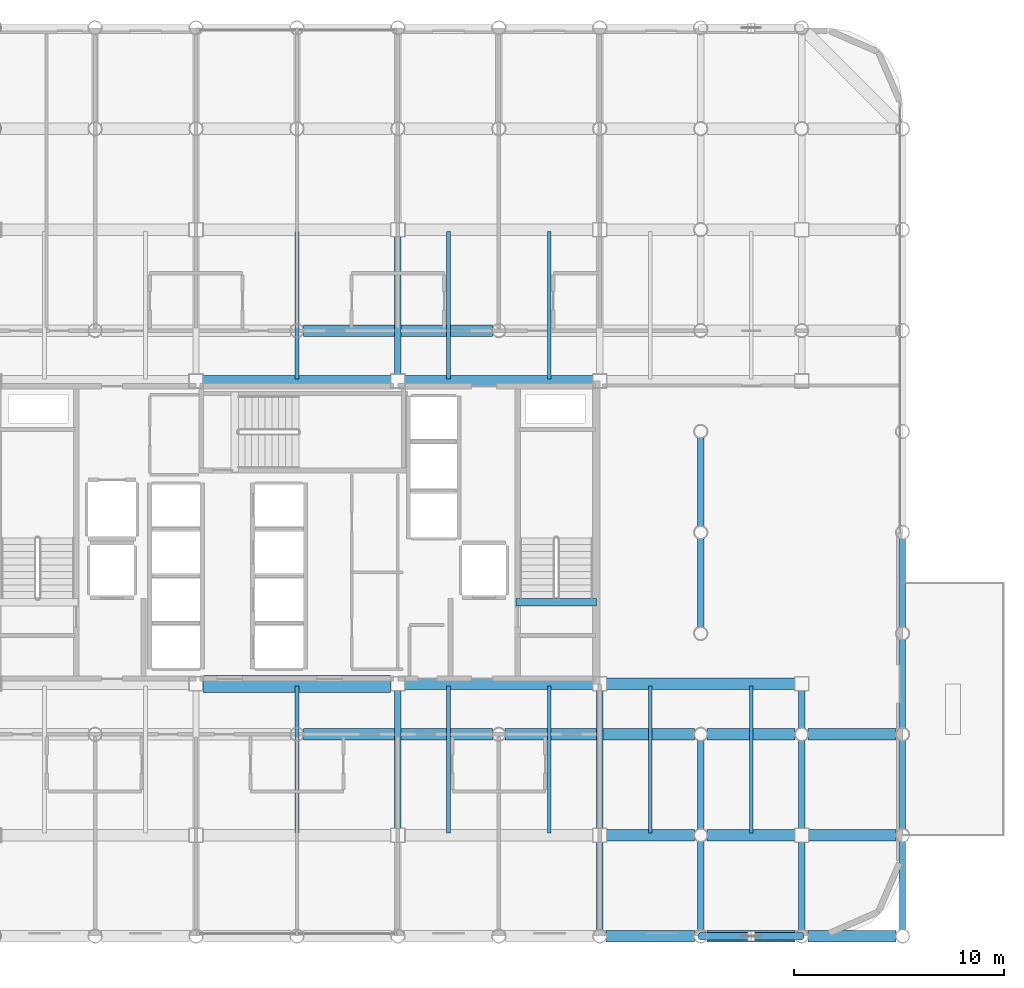
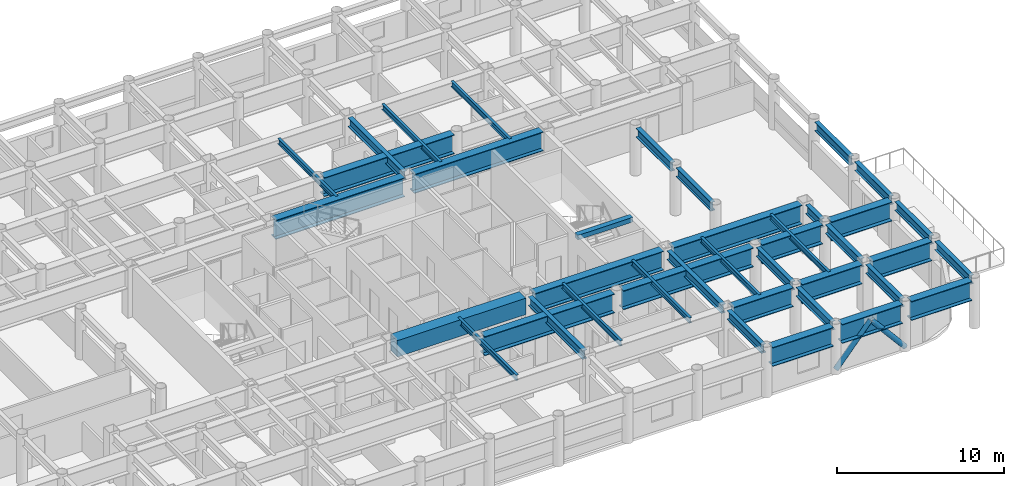
# One storey, part 7 of 23: 40 beams, 2 members.
"""IFC4 building model written with IfcOpenShell, lengths in metres."""

from ifc_helpers import new_model, si_unit, direction, frame, origin, origin_2d, place, context, subcontext, project, spatial, rectangle, hollow_circle, i_section, extrude, material, material_profile, profile_set, type_object, element, save


model = new_model("IFC4")

# Units and contexts
model_context = context("Model", 3, precision=1e-05, world=origin(), true_north=direction((0.0, 1.0)))
body_context = subcontext(model_context, "Body", "Model", "MODEL_VIEW")
ifc_project = project(units=[si_unit("LENGTHUNIT", "METRE"), si_unit("AREAUNIT", "SQUARE_METRE"), si_unit("VOLUMEUNIT", "CUBIC_METRE"), si_unit("PLANEANGLEUNIT", "RADIAN"), si_unit("MASSUNIT", "GRAM", prefix="KILO")], contexts=[model_context])

# Site, building, storey
site_placement = place(None, origin())
site = spatial("IfcSite", under=ifc_project, at=site_placement, CompositionType="ELEMENT")
building_placement = place(site_placement, origin())
building = spatial("IfcBuilding", under=site, at=building_placement, Name="Kallvorn Hotel Tower", CompositionType="ELEMENT")
storey_placement = place(building_placement, frame((0.0, 0.0, 124.800048828125)))
storey = spatial("IfcBuildingStorey", under=building, at=storey_placement, Name="L30", CompositionType="ELEMENT", Elevation=124.800048828125)

# Beams
ifc_material_1 = material(Name="Structural steel S355JR", Category="steel")
ifc_material_profile_1 = material_profile(ifc_material_1, i_section(OverallWidth=0.300048828125, OverallDepth=0.64990234375, WebThickness=0.01611328125, FlangeThickness=0.031005859375, at=origin_2d()), Name="HE 650 B")
ifc_profile_set_1 = profile_set([ifc_material_profile_1], Name="Structural steel S355JR")
beam_type_1 = type_object("IfcBeamType", Name="BM_HE650B", PredefinedType="BEAM", material=ifc_profile_set_1)
for number, where, z_axis, x_axis, name in (
    (1, (4.800048828125, -14.074951171875, 3.195068359375), (0.0, 1.0, 0.0), (-1.0, 0.0, 0.0), "L31 Primary Y-Girder 115"),
    (2, (4.800048828125, 7.52490234375, 3.195068359375), (0.0, 1.0, 0.0), (-1.0, 0.0, 0.0), "L31 Primary Y-Girder 116"),
):
    element("IfcBeam", number, at=place(storey_placement, frame(where, z_axis=z_axis, x_axis=x_axis)), inside=storey, type_object=beam_type_1, Name=name, PredefinedType="BEAM", context=body_context, shape_type="SweptSolid", body=[
        extrude(i_section(OverallWidth=0.300048828125, OverallDepth=0.64990234375, WebThickness=0.01611328125, FlangeThickness=0.031005859375, at=origin_2d()), origin(), (0.0, 0.0, 1.0), 6.550048828125),
    ])
beam_1_placement = place(storey_placement, frame((14.39990234375, -18.89501953125, 3.195068359375), z_axis=(0.0, 1.0, 0.0), x_axis=(-1.0, 0.0, 0.0)))
element("IfcBeam", 3, at=beam_1_placement, inside=storey, type_object=beam_type_1, Name="L31 Primary Y-Girder 122", PredefinedType="BEAM", context=body_context, shape_type="SweptSolid", body=[
    extrude(i_section(OverallWidth=0.300048828125, OverallDepth=0.64990234375, WebThickness=0.01611328125, FlangeThickness=0.031005859375, at=origin_2d()), origin(), (0.0, 0.0, 1.0), 4.169921875),
])
beam_2_placement = place(storey_placement, frame((14.39990234375, -14.074951171875, 3.195068359375), z_axis=(0.0, 1.0, 0.0), x_axis=(-1.0, 0.0, 0.0)))
element("IfcBeam", 4, at=beam_2_placement, inside=storey, type_object=beam_type_1, Name="L31 Primary Y-Girder 123", PredefinedType="BEAM", context=body_context, shape_type="SweptSolid", body=[
    extrude(i_section(OverallWidth=0.300048828125, OverallDepth=0.64990234375, WebThickness=0.01611328125, FlangeThickness=0.031005859375, at=origin_2d()), origin(), (0.0, 0.0, 1.0), 6.550048828125),
])
for number, where, z_axis, x_axis, name in (
    (5, (19.199951171875, -18.89501953125, 3.195068359375), (0.0, 1.0, 0.0), (-1.0, 0.0, 0.0), "L31 Primary Y-Girder 127"),
    (6, (19.199951171875, -14.094970703125, 3.195068359375), (0.0, 1.0, 0.0), (-1.0, 0.0, 0.0), "L31 Primary Y-Girder 128"),
):
    element("IfcBeam", number, at=place(storey_placement, frame(where, z_axis=z_axis, x_axis=x_axis)), inside=storey, type_object=beam_type_1, Name=name, PredefinedType="BEAM", context=body_context, shape_type="SweptSolid", body=[
        extrude(i_section(OverallWidth=0.300048828125, OverallDepth=0.64990234375, WebThickness=0.01611328125, FlangeThickness=0.031005859375, at=origin_2d()), origin(), (0.0, 0.0, 1.0), 4.18994140625),
    ])
for number, where, z_axis, x_axis, name in (
    (7, (19.199951171875, -4.4951171875, 3.195068359375), (0.0, 1.0, 0.0), (-1.0, 0.0, 0.0), "L31 Primary Y-Girder 130"),
    (8, (19.199951171875, 0.304931640625, 3.195068359375), (0.0, 1.0, 0.0), (-1.0, 0.0, 0.0), "L31 Primary Y-Girder 131"),
):
    element("IfcBeam", number, at=place(storey_placement, frame(where, z_axis=z_axis, x_axis=x_axis)), inside=storey, type_object=beam_type_1, Name=name, PredefinedType="BEAM", context=body_context, shape_type="SweptSolid", body=[
        extrude(i_section(OverallWidth=0.300048828125, OverallDepth=0.64990234375, WebThickness=0.01611328125, FlangeThickness=0.031005859375, at=origin_2d()), origin(), (0.0, 0.0, 1.0), 4.190185546875),
    ])
for number, where, z_axis, x_axis, name in (
    (9, (24.0, -18.89501953125, 3.195068359375), (0.0, 1.0, 0.0), (-1.0, 0.0, 0.0), "L31 Primary Y-Girder 136"),
    (10, (24.0, -14.074951171875, 3.195068359375), (0.0, 1.0, 0.0), (-1.0, 0.0, 0.0), "L31 Primary Y-Girder 137"),
):
    element("IfcBeam", number, at=place(storey_placement, frame(where, z_axis=z_axis, x_axis=x_axis)), inside=storey, type_object=beam_type_1, Name=name, PredefinedType="BEAM", context=body_context, shape_type="SweptSolid", body=[
        extrude(i_section(OverallWidth=0.300048828125, OverallDepth=0.64990234375, WebThickness=0.01611328125, FlangeThickness=0.031005859375, at=origin_2d()), origin(), (0.0, 0.0, 1.0), 4.169921875),
    ])
beam_3_placement = place(storey_placement, frame((24.0, -9.294921875, 3.195068359375), z_axis=(0.0, 1.0, 0.0), x_axis=(-1.0, 0.0, 0.0)))
element("IfcBeam", 11, at=beam_3_placement, inside=storey, type_object=beam_type_1, Name="L31 Primary Y-Girder 138", PredefinedType="BEAM", context=body_context, shape_type="SweptSolid", body=[
    extrude(i_section(OverallWidth=0.300048828125, OverallDepth=0.64990234375, WebThickness=0.01611328125, FlangeThickness=0.031005859375, at=origin_2d()), origin(), (0.0, 0.0, 1.0), 1.77001953125),
])
for number, where, z_axis, x_axis, name in (
    (12, (28.800048828125, -18.89501953125, 3.195068359375), (0.0, 1.0, 0.0), (-1.0, 0.0, 0.0), "L31 Primary Y-Girder 143"),
    (13, (28.800048828125, -14.094970703125, 3.195068359375), (0.0, 1.0, 0.0), (-1.0, 0.0, 0.0), "L31 Primary Y-Girder 144"),
    (14, (28.800048828125, -9.294921875, 3.195068359375), (0.0, 1.0, 0.0), (-1.0, 0.0, 0.0), "L31 Primary Y-Girder 145"),
):
    element("IfcBeam", number, at=place(storey_placement, frame(where, z_axis=z_axis, x_axis=x_axis)), inside=storey, type_object=beam_type_1, Name=name, PredefinedType="BEAM", context=body_context, shape_type="SweptSolid", body=[
        extrude(i_section(OverallWidth=0.300048828125, OverallDepth=0.64990234375, WebThickness=0.01611328125, FlangeThickness=0.031005859375, at=origin_2d()), origin(), (0.0, 0.0, 1.0), 4.18994140625),
    ])
beam_4_placement = place(storey_placement, frame((28.800048828125, -4.4951171875, 3.195068359375), z_axis=(0.0, 1.0, 0.0), x_axis=(-1.0, 0.0, 0.0)))
element("IfcBeam", 15, at=beam_4_placement, inside=storey, type_object=beam_type_1, Name="L31 Primary Y-Girder 146", PredefinedType="BEAM", context=body_context, shape_type="SweptSolid", body=[
    extrude(i_section(OverallWidth=0.300048828125, OverallDepth=0.64990234375, WebThickness=0.01611328125, FlangeThickness=0.031005859375, at=origin_2d()), origin(), (0.0, 0.0, 1.0), 4.190185546875),
])
ifc_material_2 = material(Name="Structural steel S355JR", Category="steel")
ifc_material_profile_2 = material_profile(ifc_material_2, i_section(OverallWidth=0.179931640625, OverallDepth=0.39990234375, WebThickness=0.008544921875, FlangeThickness=0.013427734375, at=origin_2d()), Name="IPE 400")
ifc_profile_set_2 = profile_set([ifc_material_profile_2], Name="Structural steel S355JR")
beam_type_2 = type_object("IfcBeamType", Name="BM_IPE400", PredefinedType="JOIST", material=ifc_profile_set_2)
for number, where, z_axis, x_axis, name in (
    (16, (0.0, -14.300048828125, 3.320068359375), (0.0, 1.0, 0.0), (-1.0, 0.0, 0.0), "L31 Secondary Composite Joist 200"),
    (17, (0.0, 7.300048828125, 3.320068359375), (0.0, 1.0, 0.0), (-1.0, 0.0, 0.0), "L31 Secondary Composite Joist 201"),
    (18, (7.199951171875, -14.300048828125, 3.320068359375), (0.0, 1.0, 0.0), (-1.0, 0.0, 0.0), "L31 Secondary Composite Joist 202"),
    (19, (7.199951171875, 7.300048828125, 3.320068359375), (0.0, 1.0, 0.0), (-1.0, 0.0, 0.0), "L31 Secondary Composite Joist 203"),
    (20, (12.0, -14.300048828125, 3.320068359375), (0.0, 1.0, 0.0), (-1.0, 0.0, 0.0), "L31 Secondary Composite Joist 204"),
    (21, (12.0, 7.300048828125, 3.320068359375), (0.0, 1.0, 0.0), (-1.0, 0.0, 0.0), "L31 Secondary Composite Joist 205"),
    (22, (16.800048828125, -14.300048828125, 3.320068359375), (0.0, 1.0, 0.0), (-1.0, 0.0, 0.0), "L31 Secondary Composite Joist 206"),
    (23, (21.60009765625, -14.300048828125, 3.320068359375), (0.0, 1.0, 0.0), (-1.0, 0.0, 0.0), "L31 Secondary Composite Joist 208"),
):
    element("IfcBeam", number, at=place(storey_placement, frame(where, z_axis=z_axis, x_axis=x_axis)), inside=storey, type_object=beam_type_2, Name=name, PredefinedType="JOIST", context=body_context, shape_type="SweptSolid", body=[
        extrude(i_section(OverallWidth=0.179931640625, OverallDepth=0.39990234375, WebThickness=0.008544921875, FlangeThickness=0.013427734375, at=origin_2d()), origin(), (0.0, 0.0, 1.0), 7.0),
    ])
ifc_material_3 = material(Name="Structural steel S355JR", Category="steel")
ifc_material_profile_3 = material_profile(ifc_material_3, i_section(OverallWidth=0.550048828125, OverallDepth=1.39990234375, WebThickness=0.02490234375, FlangeThickness=0.044921875, at=origin_2d()), Name="PG 1400x550x25x45")
ifc_profile_set_3 = profile_set([ifc_material_profile_3], Name="Structural steel S355JR")
beam_type_3 = type_object("IfcBeamType", Name="BM_PG_1400", PredefinedType="BEAM", material=ifc_profile_set_3)
beam_5_placement = place(storey_placement, frame((14.705078125, -19.199951171875, 2.820068359375), z_axis=(1.0, 0.0, 0.0), x_axis=(0.0, 1.0, 0.0)))
element("IfcBeam", 24, at=beam_5_placement, inside=storey, type_object=beam_type_3, Name="L31 Primary X-Girder 10", PredefinedType="BEAM", context=body_context, shape_type="SweptSolid", body=[
    extrude(i_section(OverallWidth=0.550048828125, OverallDepth=1.39990234375, WebThickness=0.02490234375, FlangeThickness=0.044921875, at=origin_2d()), origin(), (0.0, 0.0, 1.0), 4.18994140625),
])
for number, where, z_axis, x_axis, name in (
    (25, (19.5048828125, -19.199951171875, 2.820068359375), (1.0, 0.0, 0.0), (0.0, 1.0, 0.0), "L31 Primary X-Girder 11"),
    (26, (24.304931640625, -19.199951171875, 2.820068359375), (1.0, 0.0, 0.0), (0.0, 1.0, 0.0), "L31 Primary X-Girder 12"),
):
    element("IfcBeam", number, at=place(storey_placement, frame(where, z_axis=z_axis, x_axis=x_axis)), inside=storey, type_object=beam_type_3, Name=name, PredefinedType="BEAM", context=body_context, shape_type="SweptSolid", body=[
        extrude(i_section(OverallWidth=0.550048828125, OverallDepth=1.39990234375, WebThickness=0.02490234375, FlangeThickness=0.044921875, at=origin_2d()), origin(), (0.0, 0.0, 1.0), 4.190185546875),
    ])
beam_6_placement = place(storey_placement, frame((14.72509765625, -14.39990234375, 2.820068359375), z_axis=(1.0, 0.0, 0.0), x_axis=(0.0, 1.0, 0.0)))
element("IfcBeam", 27, at=beam_6_placement, inside=storey, type_object=beam_type_3, Name="L31 Primary X-Girder 20", PredefinedType="BEAM", context=body_context, shape_type="SweptSolid", body=[
    extrude(i_section(OverallWidth=0.550048828125, OverallDepth=1.39990234375, WebThickness=0.02490234375, FlangeThickness=0.044921875, at=origin_2d()), origin(), (0.0, 0.0, 1.0), 4.169921875),
])
for number, where, z_axis, x_axis, name in (
    (28, (19.5048828125, -14.39990234375, 2.820068359375), (1.0, 0.0, 0.0), (0.0, 1.0, 0.0), "L31 Primary X-Girder 21"),
    (29, (24.324951171875, -14.39990234375, 2.820068359375), (1.0, 0.0, 0.0), (0.0, 1.0, 0.0), "L31 Primary X-Girder 22"),
):
    element("IfcBeam", number, at=place(storey_placement, frame(where, z_axis=z_axis, x_axis=x_axis)), inside=storey, type_object=beam_type_3, Name=name, PredefinedType="BEAM", context=body_context, shape_type="SweptSolid", body=[
        extrude(i_section(OverallWidth=0.550048828125, OverallDepth=1.39990234375, WebThickness=0.02490234375, FlangeThickness=0.044921875, at=origin_2d()), origin(), (0.0, 0.0, 1.0), 4.170166015625),
    ])
for number, where, z_axis, x_axis, name in (
    (30, (0.304931640625, -9.60009765625, 2.820068359375), (1.0, 0.0, 0.0), (0.0, 1.0, 0.0), "L31 Primary X-Girder 28"),
    (31, (9.905029296875, -9.60009765625, 2.820068359375), (1.0, 0.0, 0.0), (0.0, 1.0, 0.0), "L31 Primary X-Girder 29"),
):
    element("IfcBeam", number, at=place(storey_placement, frame(where, z_axis=z_axis, x_axis=x_axis)), inside=storey, type_object=beam_type_3, Name=name, PredefinedType="BEAM", context=body_context, shape_type="SweptSolid", body=[
        extrude(i_section(OverallWidth=0.550048828125, OverallDepth=1.39990234375, WebThickness=0.02490234375, FlangeThickness=0.044921875, at=origin_2d()), origin(), (0.0, 0.0, 1.0), 8.989990234375),
    ])
for number, where, z_axis, x_axis, name in (
    (32, (19.5048828125, -9.60009765625, 2.820068359375), (1.0, 0.0, 0.0), (0.0, 1.0, 0.0), "L31 Primary X-Girder 30"),
    (33, (24.304931640625, -9.60009765625, 2.820068359375), (1.0, 0.0, 0.0), (0.0, 1.0, 0.0), "L31 Primary X-Girder 31"),
):
    element("IfcBeam", number, at=place(storey_placement, frame(where, z_axis=z_axis, x_axis=x_axis)), inside=storey, type_object=beam_type_3, Name=name, PredefinedType="BEAM", context=body_context, shape_type="SweptSolid", body=[
        extrude(i_section(OverallWidth=0.550048828125, OverallDepth=1.39990234375, WebThickness=0.02490234375, FlangeThickness=0.044921875, at=origin_2d()), origin(), (0.0, 0.0, 1.0), 4.190185546875),
    ])
for number, where, z_axis, x_axis, name in (
    (34, (5.125, -7.199951171875, 2.820068359375), (1.0, 0.0, 0.0), (0.0, 1.0, 0.0), "L31 Primary X-Girder 34"),
    (35, (14.72509765625, -7.199951171875, 2.820068359375), (1.0, 0.0, 0.0), (0.0, 1.0, 0.0), "L31 Primary X-Girder 35"),
):
    element("IfcBeam", number, at=place(storey_placement, frame(where, z_axis=z_axis, x_axis=x_axis)), inside=storey, type_object=beam_type_3, Name=name, PredefinedType="BEAM", context=body_context, shape_type="SweptSolid", body=[
        extrude(i_section(OverallWidth=0.550048828125, OverallDepth=1.39990234375, WebThickness=0.02490234375, FlangeThickness=0.044921875, at=origin_2d()), origin(), (0.0, 0.0, 1.0), 8.949951171875),
    ])
beam_7_placement = place(storey_placement, frame((-4.47509765625, 7.199951171875, 2.820068359375), z_axis=(1.0, 0.0, 0.0), x_axis=(0.0, 1.0, 0.0)))
element("IfcBeam", 36, at=beam_7_placement, inside=storey, type_object=beam_type_3, Name="L31 Primary X-Girder 38", PredefinedType="BEAM", context=body_context, shape_type="SweptSolid", body=[
    extrude(i_section(OverallWidth=0.550048828125, OverallDepth=1.39990234375, WebThickness=0.02490234375, FlangeThickness=0.044921875, at=origin_2d()), origin(), (0.0, 0.0, 1.0), 8.9501953125),
])
beam_8_placement = place(storey_placement, frame((5.125, 7.199951171875, 2.820068359375), z_axis=(1.0, 0.0, 0.0), x_axis=(0.0, 1.0, 0.0)))
element("IfcBeam", 37, at=beam_8_placement, inside=storey, type_object=beam_type_3, Name="L31 Primary X-Girder 39", PredefinedType="BEAM", context=body_context, shape_type="SweptSolid", body=[
    extrude(i_section(OverallWidth=0.550048828125, OverallDepth=1.39990234375, WebThickness=0.02490234375, FlangeThickness=0.044921875, at=origin_2d()), origin(), (0.0, 0.0, 1.0), 8.949951171875),
])
beam_9_placement = place(storey_placement, frame((0.304931640625, 9.60009765625, 2.820068359375), z_axis=(1.0, 0.0, 0.0), x_axis=(0.0, 1.0, 0.0)))
element("IfcBeam", 38, at=beam_9_placement, inside=storey, type_object=beam_type_3, Name="L31 Primary X-Girder 46", PredefinedType="BEAM", context=body_context, shape_type="SweptSolid", body=[
    extrude(i_section(OverallWidth=0.550048828125, OverallDepth=1.39990234375, WebThickness=0.02490234375, FlangeThickness=0.044921875, at=origin_2d()), origin(), (0.0, 0.0, 1.0), 8.989990234375),
])
ifc_material_4 = material(Name="Concrete C50/60", Category="concrete")
ifc_material_profile_4 = material_profile(ifc_material_4, rectangle(XDim=0.360107421875, YDim=0.340087890625, at=origin_2d()), Name="RC 360x340")
ifc_profile_set_4 = profile_set([ifc_material_profile_4], Name="Concrete C50/60")
beam_type_4 = type_object("IfcBeamType", Name="BM_RC_400x360", PredefinedType="BEAM", material=ifc_profile_set_4)
beam_10_placement = place(storey_placement, frame((14.239990234375, -3.31005859375, 3.349853515625), z_axis=(-1.0, 0.0, 0.0), x_axis=(0.0, -1.0, 0.0)))
element("IfcBeam", 39, at=beam_10_placement, inside=storey, type_object=beam_type_4, Name="L31 Stair ST2 Arrival Trimmer Beam", PredefinedType="BEAM", context=body_context, shape_type="SweptSolid", body=[
    extrude(rectangle(XDim=0.360107421875, YDim=0.340087890625, at=origin_2d()), origin(), (0.0, 0.0, 1.0), 3.820068359375),
])
ifc_material_5 = material(Name="Concrete C50/60", Category="concrete")
ifc_material_profile_5 = material_profile(ifc_material_5, rectangle(XDim=0.800048828125, YDim=1.199951171875, at=origin_2d()), Name="RC 800x1200")
ifc_profile_set_5 = profile_set([ifc_material_profile_5], Name="Concrete C50/60")
beam_type_5 = type_object("IfcBeamType", Name="BM_RC_800x1200", PredefinedType="T_BEAM", material=ifc_profile_set_5)
beam_11_placement = place(storey_placement, frame((-4.449951171875, -7.199951171875, 2.919921875), z_axis=(1.0, 0.0, 0.0), x_axis=(0.0, 1.0, 0.0)))
element("IfcBeam", 40, at=beam_11_placement, inside=storey, type_object=beam_type_5, Name="L30 Core Coupling Beam South", PredefinedType="T_BEAM", context=body_context, shape_type="SweptSolid", body=[
    extrude(rectangle(XDim=0.800048828125, YDim=1.199951171875, at=origin_2d()), origin(), (0.0, 0.0, 1.0), 8.89990234375),
])

# Members
ifc_material_6 = material(Name="Structural steel S355J2H", Category="steel")
ifc_material_profile_6 = material_profile(ifc_material_6, hollow_circle(Radius=0.177734375, WallThickness=0.01416015625, at=origin_2d()), Name="CHS 355.6x14.2")
ifc_profile_set_6 = profile_set([ifc_material_profile_6], Name="Structural steel S355J2H")
member_type = type_object("IfcMemberType", Name="MBR_EXO_CHS355", PredefinedType="BRACE", material=ifc_profile_set_6)
for number, where, z_axis, x_axis, name in (
    (41, (19.212890625, -19.199951171875, 0.1953125), (0.646833296797, 0.0, 0.762631422218), (0.0, 1.0, 0.0), "L30 Exoskeleton K-Brace S2A"),
    (42, (23.987060546875, -19.199951171875, 0.1953125), (-0.646833296797, 0.0, 0.762631422218), (0.0, -1.0, 0.0), "L30 Exoskeleton K-Brace S2B"),
):
    element("IfcMember", number, at=place(storey_placement, frame(where, z_axis=z_axis, x_axis=x_axis)), inside=storey, type_object=member_type, Name=name, PredefinedType="BRACE", context=body_context, shape_type="SweptSolid", body=[
        extrude(hollow_circle(Radius=0.177734375, WallThickness=0.01416015625, at=origin_2d()), origin(), (0.0, 0.0, 1.0), 3.670654296875),
    ])

save(model, "model.ifc")
